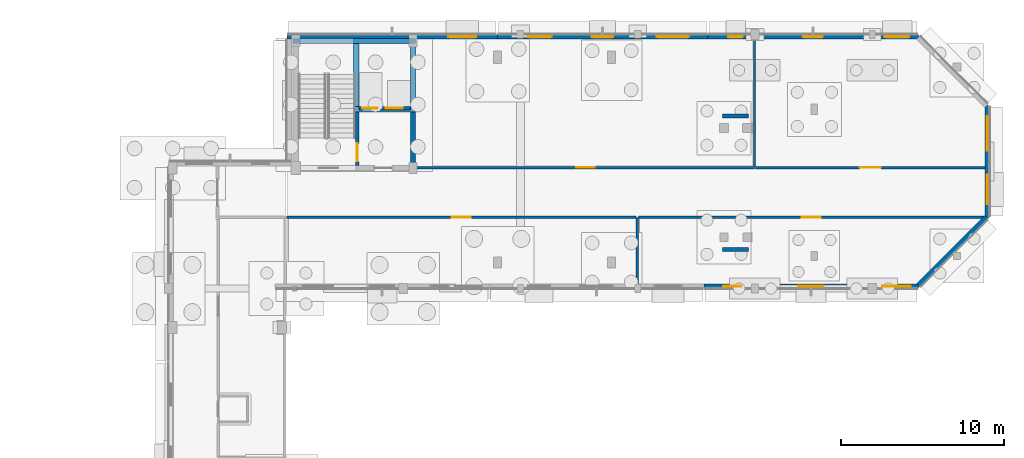
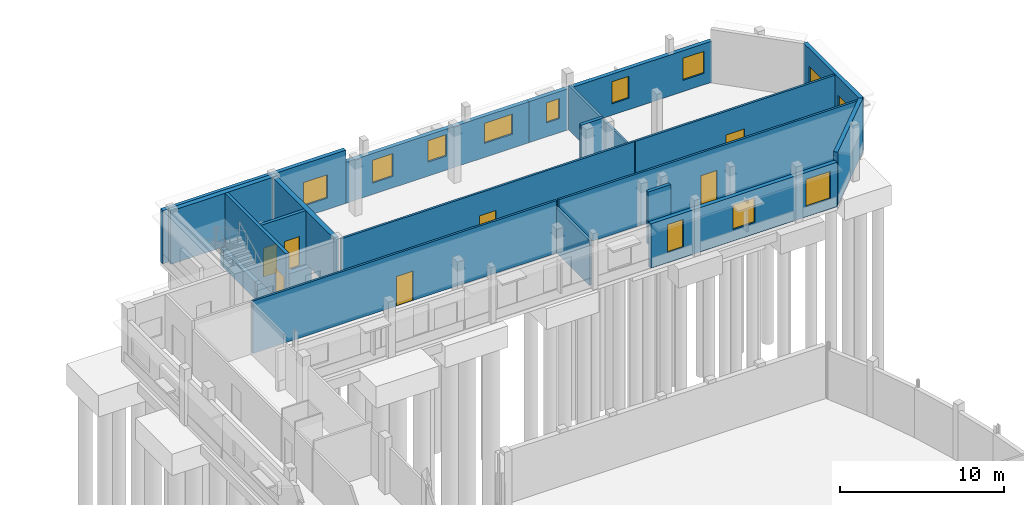
# One storey, part 76 of 93: 22 walls, 12 windows, 7 doors, 19 openings.
"""IFC4 building model written with IfcOpenShell, lengths in metres."""

from ifc_helpers import new_model, si_unit, direction, frame, frame_2d, origin, place, context, subcontext, project, spatial, rectangle, extrude, material, layer, layer_set, type_object, element, fill, save


model = new_model("IFC4")

# Units and contexts
model_context = context("Model", 3, precision=1e-05, world=origin(), true_north=direction((0.0, 1.0)))
body_context = subcontext(model_context, "Body", "Model", "MODEL_VIEW")
ifc_project = project(units=[si_unit("LENGTHUNIT", "METRE"), si_unit("AREAUNIT", "SQUARE_METRE"), si_unit("VOLUMEUNIT", "CUBIC_METRE"), si_unit("PLANEANGLEUNIT", "RADIAN"), si_unit("MASSUNIT", "GRAM", prefix="KILO")], contexts=[model_context])

# Site, building, storey
site_placement = place(None, origin())
site = spatial("IfcSite", under=ifc_project, at=site_placement, CompositionType="ELEMENT")
building_placement = place(site_placement, origin())
building = spatial("IfcBuilding", under=site, at=building_placement, Name="Kelanivale Promenade Academy", CompositionType="ELEMENT")
storey_placement = place(building_placement, origin())
storey = spatial("IfcBuildingStorey", under=building, at=storey_placement, Name="L00", CompositionType="ELEMENT", Elevation=0.0)

# Walls
ifc_material_1 = material(Name="Concrete C40/50", Category="concrete")
ifc_layer_1 = layer(ifc_material_1, 0.330078125)
ifc_layer_set_1 = layer_set([ifc_layer_1], Name="Concrete C40/50")
wall_type_1 = type_object("IfcWallType", Name="CW-S1 Wall 330mm", PredefinedType="SHEAR", material=ifc_layer_set_1)
for number, where, z_axis, x_axis, name in (
    (1, (126.955078125, 107.409912109375, -1.550048828125), (0.0, 0.0, 1.0), (1.0, 0.0, 0.0), "CORE-5 lift pit wall"),
    (2, (126.955078125, 111.60009765625, -1.550048828125), (0.0, 0.0, 1.0), (1.0, 0.0, 0.0), "CORE-5 lift pit wall"),
):
    element("IfcWall", number, at=place(storey_placement, frame(where, z_axis=z_axis, x_axis=x_axis)), inside=storey, type_object=wall_type_1, Name=name, PredefinedType="SHEAR", context=body_context, shape_type="SweptSolid", body=[
        extrude(rectangle(XDim=3.809814453125, YDim=0.330078125, at=frame_2d((1.90478515625, 0.0))), origin(), (0.0, 0.0, 1.0), 1.300048828125),
    ])
for number, where, z_axis, x_axis, name in (
    (3, (127.1201171875, 107.574951171875, -1.550048828125), (0.0, 0.0, 1.0), (0.0, 1.0, 0.0), "CORE-5 lift pit wall"),
    (4, (130.60009765625, 107.574951171875, -1.550048828125), (0.0, 0.0, 1.0), (0.0, 1.0, 0.0), "CORE-5 lift pit wall"),
):
    element("IfcWall", number, at=place(storey_placement, frame(where, z_axis=z_axis, x_axis=x_axis)), inside=storey, type_object=wall_type_1, Name=name, PredefinedType="SHEAR", context=body_context, shape_type="SweptSolid", body=[
        extrude(rectangle(XDim=3.860107421875, YDim=0.330078125, at=frame_2d((1.93017578125, 0.0))), origin(), (0.0, 0.0, 1.0), 1.300048828125),
    ])
wall_1_placement = place(storey_placement, frame((123.235107421875, 111.60009765625, 0.0), z_axis=(0.0, 0.0, 1.0), x_axis=(1.0, 0.0, 0.0)))
element("IfcWall", 5, at=wall_1_placement, inside=storey, type_object=wall_type_1, Name="CORE-5 RC shear wall N L00", PredefinedType="SHEAR", context=body_context, shape_type="SweptSolid", body=[
    extrude(rectangle(XDim=7.52978515625, YDim=0.330078125, at=frame_2d((3.764892578125, 0.0))), origin(), (0.0, 0.0, 1.0), 3.97998046875),
])
wall_2_placement = place(storey_placement, frame((130.60009765625, 103.965087890625, 0.0), z_axis=(0.0, 0.0, 1.0), x_axis=(0.0, 1.0, 0.0)))
element("IfcWall", 6, at=wall_2_placement, inside=storey, type_object=wall_type_1, Name="CORE-5 RC shear wall E L00", PredefinedType="SHEAR", context=body_context, shape_type="SweptSolid", body=[
    extrude(rectangle(XDim=7.469970703125, YDim=0.330078125, at=frame_2d((3.73486328125, 0.0))), origin(), (0.0, 0.0, 1.0), 3.97998046875),
])

# Wall, openings, doors
ifc_layer_2 = layer(ifc_material_1, 0.22509765625)
ifc_layer_set_2 = layer_set([ifc_layer_2], Name="Concrete C40/50")
wall_type_2 = type_object("IfcWallType", Name="CW-S2 Wall 225mm", PredefinedType="SHEAR", material=ifc_layer_set_2)
wall_3_placement = place(storey_placement, frame((127.284912109375, 107.469970703125, 0.0), z_axis=(0.0, 0.0, 1.0), x_axis=(1.0, 0.0, 0.0)))
wall_3 = element("IfcWall", 7, at=wall_3_placement, inside=storey, type_object=wall_type_2, Name="CORE-5 lift shaft front RC wall L00", PredefinedType="SHEAR", context=body_context, shape_type="SweptSolid", body=[
    extrude(rectangle(XDim=3.150146484375, YDim=0.22509765625, at=frame_2d((1.5751953125, 0.0))), origin(), (0.0, 0.0, 1.0), 3.97998046875),
])
opening_1_placement = place(wall_3_placement, frame((0.199951171875, 0.0, 0.0)))
opening_1 = element("IfcOpeningElement", 8, at=opening_1_placement, cuts=wall_3, Name="Opening LD-LF-FF4-L00", PredefinedType="OPENING", context=body_context, shape_type="SweptSolid", body=[
    extrude(rectangle(XDim=0.949951171875, YDim=2.14990234375, at=frame_2d((0.47509765625, 1.074951171875))), frame((0.0, 0.12255859375, 0.0), z_axis=(0.0, -1.0, 0.0), x_axis=(1.0, 0.0, 0.0)), (0.0, 0.0, 1.0), 0.2451171875),
])
opening_2_placement = place(wall_3_placement, frame((1.64990234375, 0.0, 0.0)))
opening_2 = element("IfcOpeningElement", 9, at=opening_2_placement, cuts=wall_3, Name="Opening LD-LF-P3-L00", PredefinedType="OPENING", context=body_context, shape_type="SweptSolid", body=[
    extrude(rectangle(XDim=1.050048828125, YDim=2.199951171875, at=frame_2d((0.52490234375, 1.10009765625))), frame((0.0, 0.12255859375, 0.0), z_axis=(0.0, -1.0, 0.0), x_axis=(1.0, 0.0, 0.0)), (0.0, 0.0, 1.0), 0.2451171875),
])
ifc_material_2 = material(Name="Fire-rated steel-core teak veneer", Category="steel")
door_type_1 = type_object("IfcDoorType", Name="LD-FF1 Door 950x2150", OperationType="NOTDEFINED", PredefinedType="DOOR", material=ifc_material_2)
door_1_placement = place(opening_1_placement, origin())
door_1 = element("IfcDoor", 10, at=door_1_placement, inside=storey, type_object=door_type_1, Name="Firefighting lift landing door LD-LF-FF4-L00", OperationType="SLIDING_TO_LEFT", OverallHeight=2.14990234375, OverallWidth=0.949951171875, PredefinedType="DOOR", context=body_context, shape_type="SweptSolid", body=[
    extrude(rectangle(XDim=0.949951171875, YDim=2.14990234375, at=frame_2d((0.47509765625, 1.074951171875))), frame((0.0, 0.02490234375, 0.0), z_axis=(0.0, -1.0, 0.0), x_axis=(1.0, 0.0, 0.0)), (0.0, 0.0, 1.0), 0.050048828125),
])
fill(opening_1, door_1)
door_type_2 = type_object("IfcDoorType", Name="LD-PL1 Door 1050x2200", OperationType="NOTDEFINED", PredefinedType="DOOR", material=ifc_material_2)
door_2_placement = place(opening_2_placement, origin())
door_2 = element("IfcDoor", 11, at=door_2_placement, inside=storey, type_object=door_type_2, Name="Passenger lift landing door LD-LF-P3-L00", OperationType="SLIDING_TO_RIGHT", OverallHeight=2.199951171875, OverallWidth=1.050048828125, PredefinedType="DOOR", context=body_context, shape_type="SweptSolid", body=[
    extrude(rectangle(XDim=1.050048828125, YDim=2.199951171875, at=frame_2d((0.52490234375, 1.10009765625))), frame((0.0, 0.02490234375, 0.0), z_axis=(0.0, -1.0, 0.0), x_axis=(1.0, 0.0, 0.0)), (0.0, 0.0, 1.0), 0.050048828125),
])
fill(opening_2, door_2)

# Walls
for number, where, z_axis, x_axis, name in (
    (12, (149.60009765625, 98.800048828125, 0.0), (0.0, 0.0, 1.0), (1.0, 0.0, 0.0), "Library stair ST-07 structural support wall L00"),
    (13, (149.60009765625, 107.0, 0.0), (0.0, 0.0, 1.0), (1.0, 0.0, 0.0), "Library stair ST-08 structural support wall L00"),
):
    element("IfcWall", number, at=place(storey_placement, frame(where, z_axis=z_axis, x_axis=x_axis)), inside=storey, type_object=wall_type_2, Name=name, PredefinedType="SHEAR", context=body_context, shape_type="SweptSolid", body=[
        extrude(rectangle(XDim=1.599853515625, YDim=0.22509765625, at=frame_2d((0.7998046875, 0.0))), origin(), (0.0, 0.0, 1.0), 3.919921875),
    ])

# Wall, opening, door
ifc_layer_3 = layer(ifc_material_1, 0.219970703125)
ifc_layer_set_3 = layer_set([ifc_layer_3], Name="Concrete C40/50")
wall_type_3 = type_object("IfcWallType", Name="CW-S3 Wall 220mm", PredefinedType="SHEAR", material=ifc_layer_set_3)
wall_4_placement = place(storey_placement, frame((127.175048828125, 103.965087890625, 0.0), z_axis=(0.0, 0.0, 1.0), x_axis=(0.0, 1.0, 0.0)))
wall_4 = element("IfcWall", 14, at=wall_4_placement, inside=storey, type_object=wall_type_3, Name="CORE-5 stair-lobby dividing RC wall L00", PredefinedType="SHEAR", context=body_context, shape_type="SweptSolid", body=[
    extrude(rectangle(XDim=7.469970703125, YDim=0.219970703125, at=frame_2d((3.73486328125, 0.0))), origin(), (0.0, 0.0, 1.0), 3.97998046875),
])
opening_3_placement = place(wall_4_placement, frame((0.25, 0.0, 0.0)))
opening_3 = element("IfcOpeningElement", 15, at=opening_3_placement, cuts=wall_4, Name="Opening FD-CORE-5-SL-L00", PredefinedType="OPENING", context=body_context, shape_type="SweptSolid", body=[
    extrude(rectangle(XDim=1.10009765625, YDim=2.14990234375, at=frame_2d((0.550048828125, 1.074951171875))), frame((0.0, 0.1201171875, 0.0), z_axis=(0.0, -1.0, 0.0), x_axis=(1.0, 0.0, 0.0)), (0.0, 0.0, 1.0), 0.239990234375),
])
door_type_3 = type_object("IfcDoorType", Name="DT-F01 Door 1100x2150", OperationType="NOTDEFINED", PredefinedType="DOOR", material=ifc_material_2)
door_3_placement = place(opening_3_placement, origin())
door_3 = element("IfcDoor", 16, at=door_3_placement, inside=storey, type_object=door_type_3, Name="CORE-5 lobby-to-stair fire door L00", OperationType="SINGLE_SWING_RIGHT", OverallHeight=2.14990234375, OverallWidth=1.10009765625, PredefinedType="DOOR", context=body_context, shape_type="SweptSolid", body=[
    extrude(rectangle(XDim=1.10009765625, YDim=2.14990234375, at=frame_2d((0.550048828125, 1.074951171875))), frame((0.0, 0.02490234375, 0.0), z_axis=(0.0, -1.0, 0.0), x_axis=(1.0, 0.0, 0.0)), (0.0, 0.0, 1.0), 0.050048828125),
])
fill(opening_3, door_3)

# Wall, openings, windows
ifc_material_3 = material(Name="Insulated ivory stucco masonry wall 280 mm", Category="masonry")
ifc_layer_4 = layer(ifc_material_3, 0.280029296875)
ifc_layer_set_4 = layer_set([ifc_layer_4], Name="Insulated ivory stucco masonry wall 280 mm")
wall_type_4 = type_object("IfcWallType", Name="EW-02 Wall 280mm", PredefinedType="SOLIDWALL", material=ifc_layer_set_4)
wall_5_placement = place(storey_placement, frame((148.4599609375, 96.5400390625, 0.0), z_axis=(0.0, 0.0, 1.0), x_axis=(1.0, 0.0, 0.0)))
wall_5 = element("IfcWall", 17, at=wall_5_placement, inside=storey, type_object=wall_type_4, Name="L00 exterior facade wall EW-L00-ORT-0298", PredefinedType="SOLIDWALL", context=body_context, shape_type="SweptSolid", body=[
    extrude(rectangle(XDim=13.169921875, YDim=0.280029296875, at=frame_2d((6.5849609375, 0.0))), origin(), (0.0, 0.0, 1.0), 3.31494140625),
])
opening_4_placement = place(wall_5_placement, frame((1.195068359375, 0.0, 0.75)))
opening_4 = element("IfcOpeningElement", 18, at=opening_4_placement, cuts=wall_5, Name="Opening WT-17", PredefinedType="OPENING", context=body_context, shape_type="SweptSolid", body=[
    extrude(rectangle(XDim=1.10009765625, YDim=2.10009765625, at=frame_2d((0.550048828125, 1.050048828125))), frame((0.0, 0.14990234375, 0.0), z_axis=(0.0, -1.0, 0.0), x_axis=(1.0, 0.0, 0.0)), (0.0, 0.0, 1.0), 0.300048828125),
])
opening_5_placement = place(wall_5_placement, frame((5.81005859375, 0.0, 0.85009765625)))
opening_5 = element("IfcOpeningElement", 19, at=opening_5_placement, cuts=wall_5, Name="Opening WT-31", PredefinedType="OPENING", context=body_context, shape_type="SweptSolid", body=[
    extrude(rectangle(XDim=1.550048828125, YDim=1.85009765625, at=frame_2d((0.77490234375, 0.925048828125))), frame((0.0, 0.14990234375, 0.0), z_axis=(0.0, -1.0, 0.0), x_axis=(1.0, 0.0, 0.0)), (0.0, 0.0, 1.0), 0.300048828125),
])
opening_6_placement = place(wall_5_placement, frame((10.949951171875, 0.0, 0.75)))
opening_6 = element("IfcOpeningElement", 20, at=opening_6_placement, cuts=wall_5, Name="Opening WT-32", PredefinedType="OPENING", context=body_context, shape_type="SweptSolid", body=[
    extrude(rectangle(XDim=1.75, YDim=2.050048828125, at=frame_2d((0.875, 1.02490234375))), frame((0.0, 0.14990234375, 0.0), z_axis=(0.0, -1.0, 0.0), x_axis=(1.0, 0.0, 0.0)), (0.0, 0.0, 1.0), 0.300048828125),
])
ifc_material_4 = material(Name="Bronze anodised aluminium frame with low-E laminated glass", Category="aluminium")
window_type_1 = type_object("IfcWindowType", Name="WT-17 Window 1100x2100", PartitioningType="SINGLE_PANEL", PredefinedType="WINDOW", material=ifc_material_4)
window_1_placement = place(opening_4_placement, origin())
window_1 = element("IfcWindow", 21, at=window_1_placement, inside=storey, type_object=window_type_1, Name="Window WT-17", OverallHeight=2.10009765625, OverallWidth=1.10009765625, PartitioningType="SINGLE_PANEL", PredefinedType="WINDOW", context=body_context, shape_type="SweptSolid", body=[
    extrude(rectangle(XDim=1.10009765625, YDim=2.10009765625, at=frame_2d((0.550048828125, 1.050048828125))), frame((0.0, 0.030029296875, 0.0), z_axis=(0.0, -1.0, 0.0), x_axis=(1.0, 0.0, 0.0)), (0.0, 0.0, 1.0), 0.06005859375),
])
fill(opening_4, window_1)
window_type_2 = type_object("IfcWindowType", Name="WT-31 Window 1550x1850", PartitioningType="SINGLE_PANEL", PredefinedType="WINDOW", material=ifc_material_4)
window_2_placement = place(opening_5_placement, origin())
window_2 = element("IfcWindow", 22, at=window_2_placement, inside=storey, type_object=window_type_2, Name="Window WT-31", OverallHeight=1.85009765625, OverallWidth=1.550048828125, PartitioningType="SINGLE_PANEL", PredefinedType="WINDOW", context=body_context, shape_type="SweptSolid", body=[
    extrude(rectangle(XDim=1.550048828125, YDim=1.85009765625, at=frame_2d((0.77490234375, 0.925048828125))), frame((0.0, 0.030029296875, 0.0), z_axis=(0.0, -1.0, 0.0), x_axis=(1.0, 0.0, 0.0)), (0.0, 0.0, 1.0), 0.06005859375),
])
fill(opening_5, window_2)
window_type_3 = type_object("IfcWindowType", Name="WT-32 Window 1750x2050", PartitioningType="SINGLE_PANEL", PredefinedType="WINDOW", material=ifc_material_4)
window_3_placement = place(opening_6_placement, origin())
window_3 = element("IfcWindow", 23, at=window_3_placement, inside=storey, type_object=window_type_3, Name="Window WT-32", OverallHeight=2.050048828125, OverallWidth=1.75, PartitioningType="SINGLE_PANEL", PredefinedType="WINDOW", context=body_context, shape_type="SweptSolid", body=[
    extrude(rectangle(XDim=1.75, YDim=2.050048828125, at=frame_2d((0.875, 1.02490234375))), frame((0.0, 0.030029296875, 0.0), z_axis=(0.0, -1.0, 0.0), x_axis=(1.0, 0.0, 0.0)), (0.0, 0.0, 1.0), 0.06005859375),
])
fill(opening_6, window_3)

# Wall
wall_6_placement = place(storey_placement, frame((161.617919921875, 96.583984375, 0.0), z_axis=(0.0, 0.0, 1.0), x_axis=(0.707106781187, 0.707106781187, 0.0)))
element("IfcWall", 24, at=wall_6_placement, inside=storey, type_object=wall_type_4, Name="L00 exterior facade wall EW-L00-ORT-0299", PredefinedType="SOLIDWALL", context=body_context, shape_type="SweptSolid", body=[
    extrude(rectangle(XDim=5.936767578125, YDim=0.280029296875, at=frame_2d((2.96826171875, 0.0))), origin(), (0.0, 0.0, 1.0), 3.97998046875),
])

# Wall, openings, windows
wall_7_placement = place(storey_placement, frame((165.860107421875, 100.77001953125, 0.0), z_axis=(0.0, 0.0, 1.0), x_axis=(0.0, 1.0, 0.0)))
wall_7 = element("IfcWall", 25, at=wall_7_placement, inside=storey, type_object=wall_type_4, Name="L00 exterior facade wall EW-L00-ORT-0300", PredefinedType="SOLIDWALL", context=body_context, shape_type="SweptSolid", body=[
    extrude(rectangle(XDim=6.85986328125, YDim=0.280029296875, at=frame_2d((3.429931640625, 0.0))), origin(), (0.0, 0.0, 1.0), 3.97998046875),
])
opening_7_placement = place(wall_7_placement, frame((0.81494140625, 0.0, 0.85009765625)))
opening_7 = element("IfcOpeningElement", 26, at=opening_7_placement, cuts=wall_7, Name="Opening WT-01", PredefinedType="OPENING", context=body_context, shape_type="SweptSolid", body=[
    extrude(rectangle(XDim=1.800048828125, YDim=1.800048828125, at=frame_2d((0.89990234375, 0.89990234375))), frame((0.0, 0.14990234375, 0.0), z_axis=(0.0, -1.0, 0.0), x_axis=(1.0, 0.0, 0.0)), (0.0, 0.0, 1.0), 0.300048828125),
])
opening_8_placement = place(wall_7_placement, frame((4.094970703125, 0.0, 0.85009765625)))
opening_8 = element("IfcOpeningElement", 27, at=opening_8_placement, cuts=wall_7, Name="Opening WT-02", PredefinedType="OPENING", context=body_context, shape_type="SweptSolid", body=[
    extrude(rectangle(XDim=2.10009765625, YDim=1.800048828125, at=frame_2d((1.050048828125, 0.89990234375))), frame((0.0, 0.14990234375, 0.0), z_axis=(0.0, -1.0, 0.0), x_axis=(1.0, 0.0, 0.0)), (0.0, 0.0, 1.0), 0.300048828125),
])
window_type_4 = type_object("IfcWindowType", Name="WT-01 Window 1800x1800", PartitioningType="SINGLE_PANEL", PredefinedType="WINDOW", material=ifc_material_4)
window_4_placement = place(opening_7_placement, origin())
window_4 = element("IfcWindow", 28, at=window_4_placement, inside=storey, type_object=window_type_4, Name="Window WT-01", OverallHeight=1.800048828125, OverallWidth=1.800048828125, PartitioningType="SINGLE_PANEL", PredefinedType="WINDOW", context=body_context, shape_type="SweptSolid", body=[
    extrude(rectangle(XDim=1.800048828125, YDim=1.800048828125, at=frame_2d((0.89990234375, 0.89990234375))), frame((0.0, 0.030029296875, 0.0), z_axis=(0.0, -1.0, 0.0), x_axis=(1.0, 0.0, 0.0)), (0.0, 0.0, 1.0), 0.06005859375),
])
fill(opening_7, window_4)
window_type_5 = type_object("IfcWindowType", Name="WT-02 Window 2100x1800", PartitioningType="SINGLE_PANEL", PredefinedType="WINDOW", material=ifc_material_4)
window_5_placement = place(opening_8_placement, origin())
window_5 = element("IfcWindow", 29, at=window_5_placement, inside=storey, type_object=window_type_5, Name="Window WT-02", OverallHeight=1.800048828125, OverallWidth=2.10009765625, PartitioningType="SINGLE_PANEL", PredefinedType="WINDOW", context=body_context, shape_type="SweptSolid", body=[
    extrude(rectangle(XDim=2.10009765625, YDim=1.800048828125, at=frame_2d((1.050048828125, 0.89990234375))), frame((0.0, 0.030029296875, 0.0), z_axis=(0.0, -1.0, 0.0), x_axis=(1.0, 0.0, 0.0)), (0.0, 0.0, 1.0), 0.06005859375),
])
fill(opening_8, window_5)

wall_8_placement = place(storey_placement, frame((161.6298828125, 111.860107421875, 0.0), z_axis=(0.0, 0.0, 1.0), x_axis=(-1.0, 0.0, 0.0)))
wall_8 = element("IfcWall", 30, at=wall_8_placement, inside=storey, type_object=wall_type_4, Name="L00 exterior facade wall EW-L00-ORT-0302", PredefinedType="SOLIDWALL", context=body_context, shape_type="SweptSolid", body=[
    extrude(rectangle(XDim=12.927001953125, YDim=0.280029296875, at=frame_2d((6.46337890625, 0.0))), origin(), (0.0, 0.0, 1.0), 3.06494140625),
])
opening_9_placement = place(wall_8_placement, frame((0.553955078125, 0.0, 0.85009765625)))
opening_9 = element("IfcOpeningElement", 31, at=opening_9_placement, cuts=wall_8, Name="Opening WT-04", PredefinedType="OPENING", context=body_context, shape_type="SweptSolid", body=[
    extrude(rectangle(XDim=1.5, YDim=1.64990234375, at=frame_2d((0.75, 0.824951171875))), frame((0.0, 0.14990234375, 0.0), z_axis=(0.0, -1.0, 0.0), x_axis=(1.0, 0.0, 0.0)), (0.0, 0.0, 1.0), 0.300048828125),
])
opening_10_placement = place(wall_8_placement, frame((5.863037109375, 0.0, 0.85009765625)))
opening_10 = element("IfcOpeningElement", 32, at=opening_10_placement, cuts=wall_8, Name="Opening WT-05", PredefinedType="OPENING", context=body_context, shape_type="SweptSolid", body=[
    extrude(rectangle(XDim=1.199951171875, YDim=1.64990234375, at=frame_2d((0.60009765625, 0.824951171875))), frame((0.0, 0.14990234375, 0.0), z_axis=(0.0, -1.0, 0.0), x_axis=(1.0, 0.0, 0.0)), (0.0, 0.0, 1.0), 0.300048828125),
])
opening_11_placement = place(wall_8_placement, frame((10.77197265625, 0.0, 1.050048828125)))
opening_11 = element("IfcOpeningElement", 33, at=opening_11_placement, cuts=wall_8, Name="Opening WT-06", PredefinedType="OPENING", context=body_context, shape_type="SweptSolid", body=[
    extrude(rectangle(XDim=0.89990234375, YDim=1.5, at=frame_2d((0.449951171875, 0.75))), frame((0.0, 0.14990234375, 0.0), z_axis=(0.0, -1.0, 0.0), x_axis=(1.0, 0.0, 0.0)), (0.0, 0.0, 1.0), 0.300048828125),
])
window_type_6 = type_object("IfcWindowType", Name="WT-04 Window 1500x1650", PartitioningType="SINGLE_PANEL", PredefinedType="WINDOW", material=ifc_material_4)
window_6_placement = place(opening_9_placement, origin())
window_6 = element("IfcWindow", 34, at=window_6_placement, inside=storey, type_object=window_type_6, Name="Window WT-04", OverallHeight=1.64990234375, OverallWidth=1.5, PartitioningType="SINGLE_PANEL", PredefinedType="WINDOW", context=body_context, shape_type="SweptSolid", body=[
    extrude(rectangle(XDim=1.5, YDim=1.64990234375, at=frame_2d((0.75, 0.824951171875))), frame((0.0, 0.030029296875, 0.0), z_axis=(0.0, -1.0, 0.0), x_axis=(1.0, 0.0, 0.0)), (0.0, 0.0, 1.0), 0.06005859375),
])
fill(opening_9, window_6)
window_type_7 = type_object("IfcWindowType", Name="WT-05 Window 1200x1650", PartitioningType="SINGLE_PANEL", PredefinedType="WINDOW", material=ifc_material_4)
window_7_placement = place(opening_10_placement, origin())
window_7 = element("IfcWindow", 35, at=window_7_placement, inside=storey, type_object=window_type_7, Name="Window WT-05", OverallHeight=1.64990234375, OverallWidth=1.199951171875, PartitioningType="SINGLE_PANEL", PredefinedType="WINDOW", context=body_context, shape_type="SweptSolid", body=[
    extrude(rectangle(XDim=1.199951171875, YDim=1.64990234375, at=frame_2d((0.60009765625, 0.824951171875))), frame((0.0, 0.030029296875, 0.0), z_axis=(0.0, -1.0, 0.0), x_axis=(1.0, 0.0, 0.0)), (0.0, 0.0, 1.0), 0.06005859375),
])
fill(opening_10, window_7)
window_type_8 = type_object("IfcWindowType", Name="WT-06 Window 900x1500", PartitioningType="SINGLE_PANEL", PredefinedType="WINDOW", material=ifc_material_4)
window_8_placement = place(opening_11_placement, origin())
window_8 = element("IfcWindow", 36, at=window_8_placement, inside=storey, type_object=window_type_8, Name="Window WT-06", OverallHeight=1.5, OverallWidth=0.89990234375, PartitioningType="SINGLE_PANEL", PredefinedType="WINDOW", context=body_context, shape_type="SweptSolid", body=[
    extrude(rectangle(XDim=0.89990234375, YDim=1.5, at=frame_2d((0.449951171875, 0.75))), frame((0.0, 0.030029296875, 0.0), z_axis=(0.0, -1.0, 0.0), x_axis=(1.0, 0.0, 0.0)), (0.0, 0.0, 1.0), 0.06005859375),
])
fill(opening_11, window_8)

wall_9_placement = place(storey_placement, frame((148.702880859375, 111.860107421875, 0.0), z_axis=(0.0, 0.0, 1.0), x_axis=(-1.0, 0.0, 0.0)))
wall_9 = element("IfcWall", 37, at=wall_9_placement, inside=storey, type_object=wall_type_4, Name="L00 exterior facade wall EW-L00-ORT-0303", PredefinedType="SOLIDWALL", context=body_context, shape_type="SweptSolid", body=[
    extrude(rectangle(XDim=12.92578125, YDim=0.280029296875, at=frame_2d((6.462890625, 0.0))), origin(), (0.0, 0.0, 1.0), 3.06494140625),
])
opening_12_placement = place(wall_9_placement, frame((1.178955078125, 0.0, 1.050048828125)))
opening_12 = element("IfcOpeningElement", 38, at=opening_12_placement, cuts=wall_9, Name="Opening WT-22", PredefinedType="OPENING", context=body_context, shape_type="SweptSolid", body=[
    extrude(rectangle(XDim=1.949951171875, YDim=1.5, at=frame_2d((0.97509765625, 0.75))), frame((0.0, 0.14990234375, 0.0), z_axis=(0.0, -1.0, 0.0), x_axis=(1.0, 0.0, 0.0)), (0.0, 0.0, 1.0), 0.300048828125),
])
opening_13_placement = place(wall_9_placement, frame((5.81298828125, 0.0, 1.050048828125)))
opening_13 = element("IfcOpeningElement", 39, at=opening_13_placement, cuts=wall_9, Name="Opening WT-23", PredefinedType="OPENING", context=body_context, shape_type="SweptSolid", body=[
    extrude(rectangle(XDim=1.300048828125, YDim=1.60009765625, at=frame_2d((0.64990234375, 0.800048828125))), frame((0.0, 0.14990234375, 0.0), z_axis=(0.0, -1.0, 0.0), x_axis=(1.0, 0.0, 0.0)), (0.0, 0.0, 1.0), 0.300048828125),
])
opening_14_placement = place(wall_9_placement, frame((9.596923828125, 0.0, 0.85009765625)))
opening_14 = element("IfcOpeningElement", 40, at=opening_14_placement, cuts=wall_9, Name="Opening WT-24", PredefinedType="OPENING", context=body_context, shape_type="SweptSolid", body=[
    extrude(rectangle(XDim=1.449951171875, YDim=1.699951171875, at=frame_2d((0.72509765625, 0.85009765625))), frame((0.0, 0.14990234375, 0.0), z_axis=(0.0, -1.0, 0.0), x_axis=(1.0, 0.0, 0.0)), (0.0, 0.0, 1.0), 0.300048828125),
])
window_type_9 = type_object("IfcWindowType", Name="WT-22 Window 1950x1500", PartitioningType="SINGLE_PANEL", PredefinedType="WINDOW", material=ifc_material_4)
window_9_placement = place(opening_12_placement, origin())
window_9 = element("IfcWindow", 41, at=window_9_placement, inside=storey, type_object=window_type_9, Name="Window WT-22", OverallHeight=1.5, OverallWidth=1.949951171875, PartitioningType="SINGLE_PANEL", PredefinedType="WINDOW", context=body_context, shape_type="SweptSolid", body=[
    extrude(rectangle(XDim=1.949951171875, YDim=1.5, at=frame_2d((0.97509765625, 0.75))), frame((0.0, 0.030029296875, 0.0), z_axis=(0.0, -1.0, 0.0), x_axis=(1.0, 0.0, 0.0)), (0.0, 0.0, 1.0), 0.06005859375),
])
fill(opening_12, window_9)
window_type_10 = type_object("IfcWindowType", Name="WT-23 Window 1300x1600", PartitioningType="SINGLE_PANEL", PredefinedType="WINDOW", material=ifc_material_4)
window_10_placement = place(opening_13_placement, origin())
window_10 = element("IfcWindow", 42, at=window_10_placement, inside=storey, type_object=window_type_10, Name="Window WT-23", OverallHeight=1.60009765625, OverallWidth=1.300048828125, PartitioningType="SINGLE_PANEL", PredefinedType="WINDOW", context=body_context, shape_type="SweptSolid", body=[
    extrude(rectangle(XDim=1.300048828125, YDim=1.60009765625, at=frame_2d((0.64990234375, 0.800048828125))), frame((0.0, 0.030029296875, 0.0), z_axis=(0.0, -1.0, 0.0), x_axis=(1.0, 0.0, 0.0)), (0.0, 0.0, 1.0), 0.06005859375),
])
fill(opening_13, window_10)
window_type_11 = type_object("IfcWindowType", Name="WT-24 Window 1450x1700", PartitioningType="SINGLE_PANEL", PredefinedType="WINDOW", material=ifc_material_4)
window_11_placement = place(opening_14_placement, origin())
window_11 = element("IfcWindow", 43, at=window_11_placement, inside=storey, type_object=window_type_11, Name="Window WT-24", OverallHeight=1.699951171875, OverallWidth=1.449951171875, PartitioningType="SINGLE_PANEL", PredefinedType="WINDOW", context=body_context, shape_type="SweptSolid", body=[
    extrude(rectangle(XDim=1.449951171875, YDim=1.699951171875, at=frame_2d((0.72509765625, 0.85009765625))), frame((0.0, 0.030029296875, 0.0), z_axis=(0.0, -1.0, 0.0), x_axis=(1.0, 0.0, 0.0)), (0.0, 0.0, 1.0), 0.06005859375),
])
fill(opening_14, window_11)

# Wall, opening, window
wall_10_placement = place(storey_placement, frame((135.777099609375, 111.860107421875, 0.0), z_axis=(0.0, 0.0, 1.0), x_axis=(-1.0, 0.0, 0.0)))
wall_10 = element("IfcWall", 44, at=wall_10_placement, inside=storey, type_object=wall_type_4, Name="L00 exterior facade wall EW-L00-ORT-0304", PredefinedType="SOLIDWALL", context=body_context, shape_type="SweptSolid", body=[
    extrude(rectangle(XDim=12.927001953125, YDim=0.280029296875, at=frame_2d((6.46337890625, 0.0))), origin(), (0.0, 0.0, 1.0), 3.97998046875),
])
opening_15_placement = place(wall_10_placement, frame((1.303955078125, 0.0, 0.85009765625)))
opening_15 = element("IfcOpeningElement", 45, at=opening_15_placement, cuts=wall_10, Name="Opening WT-25", PredefinedType="OPENING", context=body_context, shape_type="SweptSolid", body=[
    extrude(rectangle(XDim=1.699951171875, YDim=1.75, at=frame_2d((0.85009765625, 0.875))), frame((0.0, 0.14990234375, 0.0), z_axis=(0.0, -1.0, 0.0), x_axis=(1.0, 0.0, 0.0)), (0.0, 0.0, 1.0), 0.300048828125),
])
window_type_12 = type_object("IfcWindowType", Name="WT-25 Window 1700x1750", PartitioningType="SINGLE_PANEL", PredefinedType="WINDOW", material=ifc_material_4)
window_12_placement = place(opening_15_placement, origin())
window_12 = element("IfcWindow", 46, at=window_12_placement, inside=storey, type_object=window_type_12, Name="Window WT-25", OverallHeight=1.75, OverallWidth=1.699951171875, PartitioningType="SINGLE_PANEL", PredefinedType="WINDOW", context=body_context, shape_type="SweptSolid", body=[
    extrude(rectangle(XDim=1.699951171875, YDim=1.75, at=frame_2d((0.85009765625, 0.875))), frame((0.0, 0.030029296875, 0.0), z_axis=(0.0, -1.0, 0.0), x_axis=(1.0, 0.0, 0.0)), (0.0, 0.0, 1.0), 0.06005859375),
])
fill(opening_15, window_12)

# Wall
ifc_material_5 = material(Name="Acoustic gypsum-lined masonry partition 150 mm", Category="masonry")
ifc_layer_5 = layer(ifc_material_5, 0.14990234375)
ifc_layer_set_5 = layer_set([ifc_layer_5], Name="Acoustic gypsum-lined masonry partition 150 mm")
wall_type_5 = type_object("IfcWallType", Name="IW-03 Wall 150mm", PredefinedType="PARTITIONING", material=ifc_layer_set_5)
wall_11_placement = place(storey_placement, frame((144.3701171875, 96.677978515625, 0.0), z_axis=(0.0, 0.0, 1.0), x_axis=(0.0, 1.0, 0.0)))
element("IfcWall", 47, at=wall_11_placement, inside=storey, type_object=wall_type_5, Name="L00 partition Physics Laboratory 1", PredefinedType="PARTITIONING", context=body_context, shape_type="SweptSolid", body=[
    extrude(rectangle(XDim=4.092041015625, YDim=0.14990234375, at=frame_2d((2.0458984375, 0.0))), origin(), (0.0, 0.0, 1.0), 3.364990234375),
])

# Wall, opening, door
wall_12_placement = place(storey_placement, frame((144.297119140625, 100.77001953125, 0.0), z_axis=(0.0, 0.0, 1.0), x_axis=(-1.0, 0.0, 0.0)))
wall_12 = element("IfcWall", 48, at=wall_12_placement, inside=storey, type_object=wall_type_5, Name="L00 partition Physics Laboratory 1", PredefinedType="PARTITIONING", context=body_context, shape_type="SweptSolid", body=[
    extrude(rectangle(XDim=21.4541015625, YDim=0.14990234375, at=frame_2d((10.72705078125, 0.0))), origin(), (0.0, 0.0, 1.0), 3.9150390625),
])
opening_16_placement = place(wall_12_placement, frame((10.152099609375, 0.0, 0.0)))
opening_16 = element("IfcOpeningElement", 49, at=opening_16_placement, cuts=wall_12, Name="Opening ID-L00-053", PredefinedType="OPENING", context=body_context, shape_type="SweptSolid", body=[
    extrude(rectangle(XDim=1.14990234375, YDim=2.199951171875, at=frame_2d((0.574951171875, 1.10009765625))), frame((0.0, 0.0849609375, 0.0), z_axis=(0.0, -1.0, 0.0), x_axis=(1.0, 0.0, 0.0)), (0.0, 0.0, 1.0), 0.169921875),
])
door_type_4 = type_object("IfcDoorType", Name="DT-F06 Door 1150x2200", OperationType="NOTDEFINED", PredefinedType="DOOR", material=ifc_material_2)
door_4_placement = place(opening_16_placement, origin())
door_4 = element("IfcDoor", 50, at=door_4_placement, inside=storey, type_object=door_type_4, Name="Physics Laboratory 1 door ID-L00-053", OperationType="SINGLE_SWING_RIGHT", OverallHeight=2.199951171875, OverallWidth=1.14990234375, PredefinedType="DOOR", context=body_context, shape_type="SweptSolid", body=[
    extrude(rectangle(XDim=1.14990234375, YDim=2.199951171875, at=frame_2d((0.574951171875, 1.10009765625))), frame((0.0, 0.02490234375, 0.0), z_axis=(0.0, -1.0, 0.0), x_axis=(1.0, 0.0, 0.0)), (0.0, 0.0, 1.0), 0.050048828125),
])
fill(opening_16, door_4)

wall_13_placement = place(storey_placement, frame((165.655029296875, 100.77001953125, 0.0), z_axis=(0.0, 0.0, 1.0), x_axis=(-1.0, 0.0, 0.0)))
wall_13 = element("IfcWall", 51, at=wall_13_placement, inside=storey, type_object=wall_type_5, Name="L00 partition General Science Laboratory", PredefinedType="PARTITIONING", context=body_context, shape_type="SweptSolid", body=[
    extrude(rectangle(XDim=21.2119140625, YDim=0.14990234375, at=frame_2d((10.60595703125, 0.0))), origin(), (0.0, 0.0, 1.0), 3.9150390625),
])
opening_17_placement = place(wall_13_placement, frame((10.031005859375, 0.0, 0.0)))
opening_17 = element("IfcOpeningElement", 52, at=opening_17_placement, cuts=wall_13, Name="Opening ID-L00-054", PredefinedType="OPENING", context=body_context, shape_type="SweptSolid", body=[
    extrude(rectangle(XDim=1.14990234375, YDim=2.199951171875, at=frame_2d((0.574951171875, 1.10009765625))), frame((0.0, 0.0849609375, 0.0), z_axis=(0.0, -1.0, 0.0), x_axis=(1.0, 0.0, 0.0)), (0.0, 0.0, 1.0), 0.169921875),
])
door_5_placement = place(opening_17_placement, origin())
door_5 = element("IfcDoor", 53, at=door_5_placement, inside=storey, type_object=door_type_4, Name="General Science Laboratory door ID-L00-054", OperationType="SINGLE_SWING_LEFT", OverallHeight=2.199951171875, OverallWidth=1.14990234375, PredefinedType="DOOR", context=body_context, shape_type="SweptSolid", body=[
    extrude(rectangle(XDim=1.14990234375, YDim=2.199951171875, at=frame_2d((0.574951171875, 1.10009765625))), frame((0.0, 0.02490234375, 0.0), z_axis=(0.0, -1.0, 0.0), x_axis=(1.0, 0.0, 0.0)), (0.0, 0.0, 1.0), 0.050048828125),
])
fill(opening_17, door_5)

wall_14_placement = place(storey_placement, frame((130.830078125, 103.830078125, 0.0), z_axis=(0.0, 0.0, 1.0), x_axis=(1.0, 0.0, 0.0)))
wall_14 = element("IfcWall", 54, at=wall_14_placement, inside=storey, type_object=wall_type_5, Name="L00 partition Physics Laboratory 2", PredefinedType="PARTITIONING", context=body_context, shape_type="SweptSolid", body=[
    extrude(rectangle(XDim=20.739990234375, YDim=0.14990234375, at=frame_2d((10.3701171875, 0.0))), origin(), (0.0, 0.0, 1.0), 3.9150390625),
])
opening_18_placement = place(wall_14_placement, frame((9.794921875, 0.0, 0.0)))
opening_18 = element("IfcOpeningElement", 55, at=opening_18_placement, cuts=wall_14, Name="Opening ID-L00-055", PredefinedType="OPENING", context=body_context, shape_type="SweptSolid", body=[
    extrude(rectangle(XDim=1.14990234375, YDim=2.199951171875, at=frame_2d((0.574951171875, 1.10009765625))), frame((0.0, 0.0849609375, 0.0), z_axis=(0.0, -1.0, 0.0), x_axis=(1.0, 0.0, 0.0)), (0.0, 0.0, 1.0), 0.169921875),
])
door_6_placement = place(opening_18_placement, origin())
door_6 = element("IfcDoor", 56, at=door_6_placement, inside=storey, type_object=door_type_4, Name="Physics Laboratory 2 door ID-L00-055", OperationType="SINGLE_SWING_RIGHT", OverallHeight=2.199951171875, OverallWidth=1.14990234375, PredefinedType="DOOR", context=body_context, shape_type="SweptSolid", body=[
    extrude(rectangle(XDim=1.14990234375, YDim=2.199951171875, at=frame_2d((0.574951171875, 1.10009765625))), frame((0.0, 0.02490234375, 0.0), z_axis=(0.0, -1.0, 0.0), x_axis=(1.0, 0.0, 0.0)), (0.0, 0.0, 1.0), 0.050048828125),
])
fill(opening_18, door_6)

# Wall
wall_15_placement = place(storey_placement, frame((151.570068359375, 103.903076171875, 0.0), z_axis=(0.0, 0.0, 1.0), x_axis=(0.0, 1.0, 0.0)))
element("IfcWall", 57, at=wall_15_placement, inside=storey, type_object=wall_type_5, Name="L00 partition Physics Laboratory 2", PredefinedType="PARTITIONING", context=body_context, shape_type="SweptSolid", body=[
    extrude(rectangle(XDim=7.81884765625, YDim=0.14990234375, at=frame_2d((3.909423828125, 0.0))), origin(), (0.0, 0.0, 1.0), 3.31494140625),
])

# Wall, opening, door
wall_16_placement = place(storey_placement, frame((151.6298828125, 103.830078125, 0.0), z_axis=(0.0, 0.0, 1.0), x_axis=(1.0, 0.0, 0.0)))
wall_16 = element("IfcWall", 58, at=wall_16_placement, inside=storey, type_object=wall_type_5, Name="L00 partition Campus Water and Chiller Plant Room", PredefinedType="PARTITIONING", context=body_context, shape_type="SweptSolid", body=[
    extrude(rectangle(XDim=14.092041015625, YDim=0.14990234375, at=frame_2d((7.0458984375, 0.0))), origin(), (0.0, 0.0, 1.0), 3.9150390625),
])
opening_19_placement = place(wall_16_placement, frame((6.39599609375, 0.0, 0.0)))
opening_19 = element("IfcOpeningElement", 59, at=opening_19_placement, cuts=wall_16, Name="Opening ID-L00-056", PredefinedType="OPENING", context=body_context, shape_type="SweptSolid", body=[
    extrude(rectangle(XDim=1.300048828125, YDim=2.14990234375, at=frame_2d((0.64990234375, 1.074951171875))), frame((0.0, 0.0849609375, 0.0), z_axis=(0.0, -1.0, 0.0), x_axis=(1.0, 0.0, 0.0)), (0.0, 0.0, 1.0), 0.169921875),
])
door_type_5 = type_object("IfcDoorType", Name="DT-F10 Door 1300x2150", OperationType="NOTDEFINED", PredefinedType="DOOR", material=ifc_material_2)
door_7_placement = place(opening_19_placement, origin())
door_7 = element("IfcDoor", 60, at=door_7_placement, inside=storey, type_object=door_type_5, Name="Campus Water and Chiller Plant Room door ID-L00-056", OperationType="DOUBLE_DOOR_SINGLE_SWING", OverallHeight=2.14990234375, OverallWidth=1.300048828125, PredefinedType="DOOR", context=body_context, shape_type="SweptSolid", body=[
    extrude(rectangle(XDim=1.300048828125, YDim=2.14990234375, at=frame_2d((0.64990234375, 1.074951171875))), frame((0.0, 0.02490234375, 0.0), z_axis=(0.0, -1.0, 0.0), x_axis=(1.0, 0.0, 0.0)), (0.0, 0.0, 1.0), 0.050048828125),
])
fill(opening_19, door_7)

save(model, "model.ifc")
